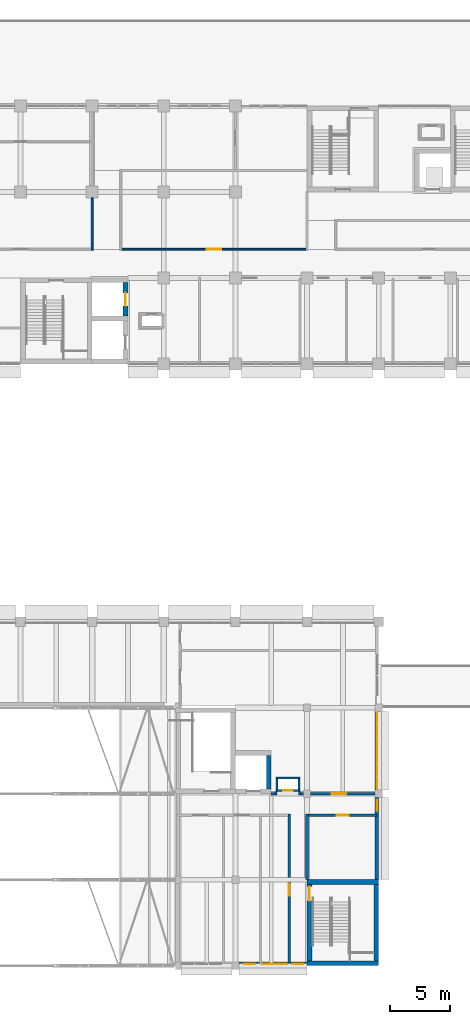
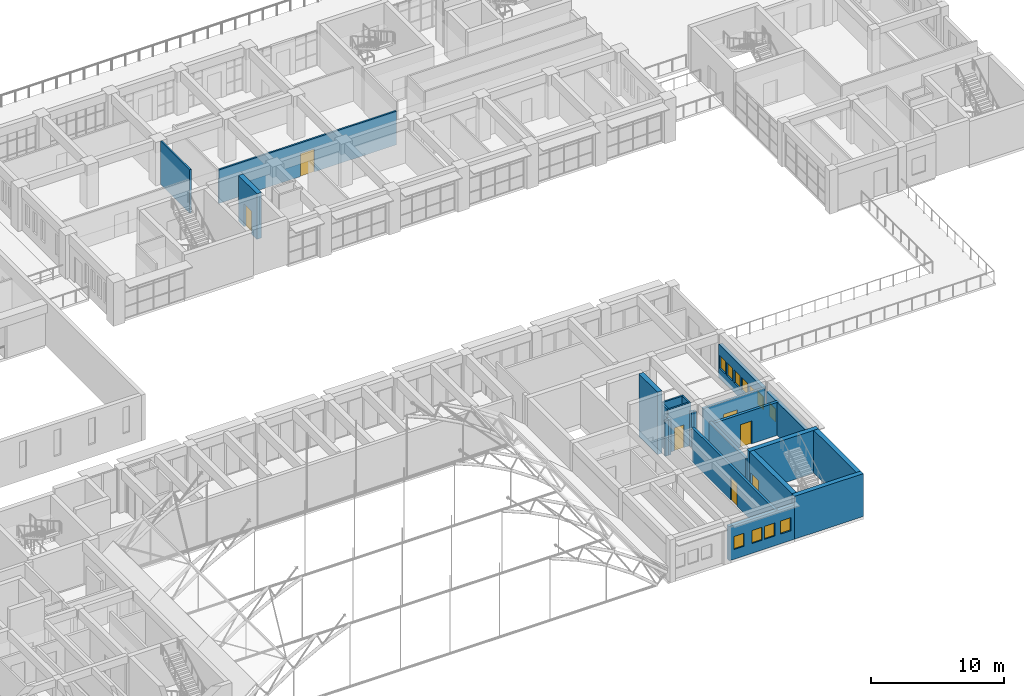
# One storey, part 74 of 101: 23 walls, 11 windows, 7 doors, 18 openings.
"""IFC4 building model written with IfcOpenShell, lengths in metres."""

from ifc_helpers import new_model, si_unit, direction, frame, frame_2d, origin, place, context, subcontext, project, spatial, rectangle, extrude, material, layer, layer_set, type_object, element, fill, save


model = new_model("IFC4")

# Units and contexts
model_context = context("Model", 3, precision=1e-05, world=origin(), true_north=direction((0.0, 1.0)))
body_context = subcontext(model_context, "Body", "Model", "MODEL_VIEW")
ifc_project = project(units=[si_unit("LENGTHUNIT", "METRE"), si_unit("AREAUNIT", "SQUARE_METRE"), si_unit("VOLUMEUNIT", "CUBIC_METRE"), si_unit("PLANEANGLEUNIT", "RADIAN"), si_unit("MASSUNIT", "GRAM", prefix="KILO")], contexts=[model_context])

# Site, building, storey
site_placement = place(None, origin())
site = spatial("IfcSite", under=ifc_project, at=site_placement, CompositionType="ELEMENT")
building_placement = place(site_placement, origin())
building = spatial("IfcBuilding", under=site, at=building_placement, Name="Laocheng Heights Fire and Rescue Headquarters", CompositionType="ELEMENT")
storey_placement = place(building_placement, frame((0.0, 0.0, 8.39990234375)))
storey = spatial("IfcBuildingStorey", under=building, at=storey_placement, Name="L02", CompositionType="ELEMENT", Elevation=8.39990234375)

# Wall
ifc_material_1 = material(Name="Gypsum plaster")
ifc_layer_1 = layer(ifc_material_1, 0.010009765625, Name="PLASTER", Category="plaster")
ifc_material_2 = material(Name="Concrete blockwork MU10", Category="masonry")
ifc_layer_2 = layer(ifc_material_2, 0.1298828125, Name="BLOCKWORK", Category="masonry")
ifc_layer_3 = layer(ifc_material_1, 0.010009765625, Name="PLASTER", Category="plaster")
ifc_layer_set_1 = layer_set([ifc_layer_1, ifc_layer_2, ifc_layer_3], Name="Concrete blockwork MU10")
wall_type_1 = type_object("IfcWallType", Name="BLOCKWORK CORRIDOR WALL 150 EI 60 HQ WING", PredefinedType="PARTITIONING", material=ifc_layer_set_1)
wall_1_placement = place(storey_placement, frame((48.0, 59.925048828125, 0.0), z_axis=(0.0, 0.0, 1.0), x_axis=(0.0, 1.0, 0.0)))
element("IfcWall", 1, at=wall_1_placement, inside=storey, type_object=wall_type_1, Name="Partition L02-002", PredefinedType="PARTITIONING", context=body_context, shape_type="SweptSolid", body=[
    extrude(rectangle(XDim=4.375, YDim=0.14990234375, at=frame_2d((2.1875, 0.0))), origin(), (0.0, 0.0, 1.0), 4.0),
])

# Wall, opening, door
wall_2_placement = place(storey_placement, frame((50.47509765625, 60.0, 0.0), z_axis=(0.0, 0.0, 1.0), x_axis=(1.0, 0.0, 0.0)))
wall_2 = element("IfcWall", 2, at=wall_2_placement, inside=storey, type_object=wall_type_1, Name="Partition L02-017", PredefinedType="PARTITIONING", context=body_context, shape_type="SweptSolid", body=[
    extrude(rectangle(XDim=15.449951171875, YDim=0.14990234375, at=frame_2d((7.72509765625, 0.0))), origin(), (0.0, 0.0, 1.0), 3.10009765625),
])
opening_1_placement = place(wall_2_placement, frame((7.125, 0.0, 0.0)))
opening_1 = element("IfcOpeningElement", 3, at=opening_1_placement, cuts=wall_2, Name="Opening L02-Y09", PredefinedType="OPENING", context=body_context, shape_type="SweptSolid", body=[
    extrude(rectangle(XDim=1.199951171875, YDim=2.10009765625, at=frame_2d((0.60009765625, 1.050048828125))), frame((0.0, 0.0849609375, 0.0), z_axis=(0.0, -1.0, 0.0), x_axis=(1.0, 0.0, 0.0)), (0.0, 0.0, 1.0), 0.169921875),
])
ifc_material_3 = material(Name="Timber door leaf, veneered", Category="wood")
door_type_1 = type_object("IfcDoorType", Name="TIMBER DOOR 1200x2100 EI 30 HQ WING", OperationType="SINGLE_SWING_LEFT", PredefinedType="DOOR", material=ifc_material_3)
door_1_placement = place(opening_1_placement, origin())
door_1 = element("IfcDoor", 4, at=door_1_placement, inside=storey, type_object=door_type_1, Name="Door L02-Y09", OperationType="SINGLE_SWING_LEFT", OverallHeight=2.10009765625, OverallWidth=1.199951171875, PredefinedType="DOOR", context=body_context, shape_type="SweptSolid", body=[
    extrude(rectangle(XDim=1.199951171875, YDim=2.10009765625, at=frame_2d((0.60009765625, 1.050048828125))), frame((0.0, 0.02490234375, 0.0), z_axis=(0.0, -1.0, 0.0), x_axis=(1.0, 0.0, 0.0)), (0.0, 0.0, 1.0), 0.050048828125),
])
fill(opening_1, door_1)

# Wall
ifc_material_4 = material(Name="Gypsum plaster")
ifc_layer_4 = layer(ifc_material_4, 0.010009765625, Name="PLASTER", Category="plaster")
ifc_material_5 = material(Name="Concrete blockwork MU10", Category="masonry")
ifc_layer_5 = layer(ifc_material_5, 0.179931640625, Name="BLOCKWORK", Category="masonry")
ifc_layer_6 = layer(ifc_material_4, 0.010009765625, Name="PLASTER", Category="plaster")
ifc_layer_set_2 = layer_set([ifc_layer_4, ifc_layer_5, ifc_layer_6], Name="Concrete blockwork MU10")
wall_type_2 = type_object("IfcWallType", Name="BLOCKWORK FIRE PARTITION 200 EI 60 BAY", PredefinedType="PARTITIONING", material=ifc_layer_set_2)
wall_3_placement = place(storey_placement, frame((63.39990234375, 14.300048828125, 0.0), z_axis=(0.0, 0.0, 1.0), x_axis=(0.0, 1.0, 0.0)))
element("IfcWall", 5, at=wall_3_placement, inside=storey, type_object=wall_type_2, Name="Partition L02-012", PredefinedType="PARTITIONING", context=body_context, shape_type="SweptSolid", body=[
    extrude(rectangle(XDim=0.300048828125, YDim=0.199951171875, at=frame_2d((0.14990234375, 0.0))), origin(), (0.0, 0.0, 1.0), 3.25),
])

# Wall, opening, door
wall_4_placement = place(storey_placement, frame((64.5, 0.14990234375, 0.0), z_axis=(0.0, 0.0, 1.0), x_axis=(0.0, 1.0, 0.0)))
wall_4 = element("IfcWall", 6, at=wall_4_placement, inside=storey, type_object=wall_type_2, Name="Partition L02-013", PredefinedType="PARTITIONING", context=body_context, shape_type="SweptSolid", body=[
    extrude(rectangle(XDim=12.550048828125, YDim=0.199951171875, at=frame_2d((6.27490234375, 0.0))), origin(), (0.0, 0.0, 1.0), 3.150146484375),
])
opening_2_placement = place(wall_4_placement, frame((5.72509765625, 0.0, 0.0)))
opening_2 = element("IfcOpeningElement", 7, at=opening_2_placement, cuts=wall_4, Name="Opening L02-I11", PredefinedType="OPENING", context=body_context, shape_type="SweptSolid", body=[
    extrude(rectangle(XDim=1.0, YDim=2.10009765625, at=frame_2d((0.5, 1.050048828125))), frame((0.0, 0.10986328125, 0.0), z_axis=(0.0, -1.0, 0.0), x_axis=(1.0, 0.0, 0.0)), (0.0, 0.0, 1.0), 0.219970703125),
])
ifc_material_6 = material(Name="Steel door leaf, painted", Category="steel")
door_type_2 = type_object("IfcDoorType", Name="STEEL FIRE DOOR 1000x2100 EI 60 BAY", OperationType="SINGLE_SWING_LEFT", PredefinedType="DOOR", material=ifc_material_6)
door_2_placement = place(opening_2_placement, origin())
door_2 = element("IfcDoor", 8, at=door_2_placement, inside=storey, type_object=door_type_2, Name="Door L02-I11", OperationType="SINGLE_SWING_LEFT", OverallHeight=2.10009765625, OverallWidth=1.0, PredefinedType="DOOR", context=body_context, shape_type="SweptSolid", body=[
    extrude(rectangle(XDim=1.0, YDim=2.10009765625, at=frame_2d((0.5, 1.050048828125))), frame((0.0, 0.02490234375, 0.0), z_axis=(0.0, -1.0, 0.0), x_axis=(1.0, 0.0, 0.0)), (0.0, 0.0, 1.0), 0.050048828125),
])
fill(opening_2, door_2)

# Walls
for number, where, z_axis, x_axis, name in (
    (9, (65.39990234375, 14.300048828125, 0.0), (0.0, 0.0, 1.0), (0.0, 1.0, 0.0), "Partition L02-014"),
    (10, (63.0, 14.39990234375, 0.0), (0.0, 0.0, 1.0), (1.0, 0.0, 0.0), "Partition L02-022"),
):
    element("IfcWall", number, at=place(storey_placement, frame(where, z_axis=z_axis, x_axis=x_axis)), inside=storey, type_object=wall_type_2, Name=name, PredefinedType="PARTITIONING", context=body_context, shape_type="SweptSolid", body=[
        extrude(rectangle(XDim=0.300048828125, YDim=0.199951171875, at=frame_2d((0.14990234375, 0.0))), origin(), (0.0, 0.0, 1.0), 3.25),
    ])
wall_5_placement = place(storey_placement, frame((65.5, 14.39990234375, 0.0), z_axis=(0.0, 0.0, 1.0), x_axis=(1.0, 0.0, 0.0)))
element("IfcWall", 11, at=wall_5_placement, inside=storey, type_object=wall_type_2, Name="Partition L02-023", PredefinedType="PARTITIONING", context=body_context, shape_type="SweptSolid", body=[
    extrude(rectangle(XDim=0.199951171875, YDim=0.199951171875, at=frame_2d((0.10009765625, 0.0))), origin(), (0.0, 0.0, 1.0), 3.25),
])

# Wall, opening, door
wall_6_placement = place(storey_placement, frame((66.300048828125, 14.39990234375, 0.0), z_axis=(0.0, 0.0, 1.0), x_axis=(1.0, 0.0, 0.0)))
wall_6 = element("IfcWall", 12, at=wall_6_placement, inside=storey, type_object=wall_type_2, Name="Partition L02-024", PredefinedType="PARTITIONING", context=body_context, shape_type="SweptSolid", body=[
    extrude(rectangle(XDim=5.39990234375, YDim=0.199951171875, at=frame_2d((2.699951171875, 0.0))), origin(), (0.0, 0.0, 1.0), 3.25),
])
opening_3_placement = place(wall_6_placement, frame((1.77490234375, 0.0, 0.0)))
opening_3 = element("IfcOpeningElement", 13, at=opening_3_placement, cuts=wall_6, Name="Opening L02-I13", PredefinedType="OPENING", context=body_context, shape_type="SweptSolid", body=[
    extrude(rectangle(XDim=1.199951171875, YDim=2.10009765625, at=frame_2d((0.60009765625, 1.050048828125))), frame((0.0, 0.10986328125, 0.0), z_axis=(0.0, -1.0, 0.0), x_axis=(1.0, 0.0, 0.0)), (0.0, 0.0, 1.0), 0.219970703125),
])
ifc_material_7 = material(Name="Steel door leaf, painted", Category="steel")
door_type_3 = type_object("IfcDoorType", Name="STEEL FIRE DOOR 1200x2100 EI 60 BAY", OperationType="SINGLE_SWING_LEFT", PredefinedType="DOOR", material=ifc_material_7)
door_3_placement = place(opening_3_placement, origin())
door_3 = element("IfcDoor", 14, at=door_3_placement, inside=storey, type_object=door_type_3, Name="Door L02-I13", OperationType="SINGLE_SWING_RIGHT", OverallHeight=2.10009765625, OverallWidth=1.199951171875, PredefinedType="DOOR", context=body_context, shape_type="SweptSolid", body=[
    extrude(rectangle(XDim=1.199951171875, YDim=2.10009765625, at=frame_2d((0.60009765625, 1.050048828125))), frame((0.0, 0.02490234375, 0.0), z_axis=(0.0, -1.0, 0.0), x_axis=(1.0, 0.0, 0.0)), (0.0, 0.0, 1.0), 0.050048828125),
])
fill(opening_3, door_3)

# Wall
ifc_material_8 = material(Name="Gypsum plaster")
ifc_layer_7 = layer(ifc_material_8, 0.010009765625, Name="PLASTER", Category="plaster")
ifc_material_9 = material(Name="Clay brick masonry MU10", Category="masonry")
ifc_layer_8 = layer(ifc_material_9, 0.219970703125, Name="BLOCKWORK", Category="masonry")
ifc_layer_9 = layer(ifc_material_8, 0.010009765625, Name="PLASTER", Category="plaster")
ifc_layer_set_3 = layer_set([ifc_layer_7, ifc_layer_8, ifc_layer_9], Name="Clay brick masonry MU10")
wall_type_3 = type_object("IfcWallType", Name="CLAY BRICK WALL 240 EI 120 BAY", PredefinedType="PARTITIONING", material=ifc_layer_set_3)
wall_7_placement = place(storey_placement, frame((66.0, 7.199951171875, 0.0), z_axis=(0.0, 0.0, 1.0), x_axis=(0.0, 1.0, 0.0)))
element("IfcWall", 15, at=wall_7_placement, inside=storey, type_object=wall_type_3, Name="Partition L02-015", PredefinedType="PARTITIONING", context=body_context, shape_type="SweptSolid", body=[
    extrude(rectangle(XDim=5.52001953125, YDim=0.239990234375, at=frame_2d((2.760009765625, 0.0))), origin(), (0.0, 0.0, 1.0), 3.150146484375),
])

# Wall, opening, door
wall_8_placement = place(storey_placement, frame((66.1201171875, 12.60009765625, 0.0), z_axis=(0.0, 0.0, 1.0), x_axis=(1.0, 0.0, 0.0)))
wall_8 = element("IfcWall", 16, at=wall_8_placement, inside=storey, type_object=wall_type_3, Name="Partition L02-020", PredefinedType="PARTITIONING", context=body_context, shape_type="SweptSolid", body=[
    extrude(rectangle(XDim=5.72998046875, YDim=0.239990234375, at=frame_2d((2.864990234375, 0.0))), origin(), (0.0, 0.0, 1.0), 3.050048828125),
])
opening_4_placement = place(wall_8_placement, frame((2.364990234375, 0.0, 0.0)))
opening_4 = element("IfcOpeningElement", 17, at=opening_4_placement, cuts=wall_8, Name="Opening L02-I12", PredefinedType="OPENING", context=body_context, shape_type="SweptSolid", body=[
    extrude(rectangle(XDim=1.0, YDim=2.10009765625, at=frame_2d((0.5, 1.050048828125))), frame((0.0, 0.1298828125, 0.0), z_axis=(0.0, -1.0, 0.0), x_axis=(1.0, 0.0, 0.0)), (0.0, 0.0, 1.0), 0.260009765625),
])
ifc_material_10 = material(Name="Steel door leaf, painted", Category="steel")
door_type_4 = type_object("IfcDoorType", Name="STEEL FIRE DOOR 1000x2100 EI 120 BAY", OperationType="SINGLE_SWING_LEFT", PredefinedType="DOOR", material=ifc_material_10)
door_4_placement = place(opening_4_placement, frame((1.0, 0.0, 0.0), z_axis=(0.0, 0.0, 1.0), x_axis=(-1.0, 0.0, 0.0)))
door_4 = element("IfcDoor", 18, at=door_4_placement, inside=storey, type_object=door_type_4, Name="Door L02-I12", OperationType="SINGLE_SWING_LEFT", OverallHeight=2.10009765625, OverallWidth=1.0, PredefinedType="DOOR", context=body_context, shape_type="SweptSolid", body=[
    extrude(rectangle(XDim=1.0, YDim=2.10009765625, at=frame_2d((0.5, 1.050048828125))), frame((0.0, 0.02490234375, 0.0), z_axis=(0.0, -1.0, 0.0), x_axis=(1.0, 0.0, 0.0)), (0.0, 0.0, 1.0), 0.050048828125),
])
fill(opening_4, door_4)

# Wall, openings, windows
ifc_material_11 = material(Name="Precast concrete C40/50", Category="concrete")
ifc_layer_10 = layer(ifc_material_11, 0.300048828125)
ifc_layer_set_4 = layer_set([ifc_layer_10], Name="Precast concrete C40/50")
wall_type_4 = type_object("IfcWallType", Name="PRECAST PANEL WALL 300 EAST FLANK", PredefinedType="SOLIDWALL", material=ifc_layer_set_4)
wall_9_placement = place(storey_placement, frame((60.300048828125, 0.14990234375, 0.0), z_axis=(0.0, 0.0, 1.0), x_axis=(1.0, 0.0, 0.0)))
wall_9 = element("IfcWall", 19, at=wall_9_placement, inside=storey, type_object=wall_type_4, Name="Flank E wall L02", PredefinedType="SOLIDWALL", context=body_context, shape_type="SweptSolid", body=[
    extrude(rectangle(XDim=5.699951171875, YDim=0.300048828125, at=frame_2d((2.85009765625, 0.0))), origin(), (0.0, 0.0, 1.0), 3.150146484375),
])
opening_5_placement = place(wall_9_placement, frame((0.41259765625, 0.0, 0.89990234375)))
opening_5 = element("IfcOpeningElement", 20, at=opening_5_placement, cuts=wall_9, Name="Opening N2-E", PredefinedType="OPENING", context=body_context, shape_type="SweptSolid", body=[
    extrude(rectangle(XDim=0.89990234375, YDim=1.199951171875, at=frame_2d((0.449951171875, 0.60009765625))), frame((0.0, 0.159912109375, 0.0), z_axis=(0.0, -1.0, 0.0), x_axis=(1.0, 0.0, 0.0)), (0.0, 0.0, 1.0), 0.320068359375),
])
opening_6_placement = place(wall_9_placement, frame((1.981201171875, 0.0, 0.89990234375)))
opening_6 = element("IfcOpeningElement", 21, at=opening_6_placement, cuts=wall_9, Name="Opening N2-E", PredefinedType="OPENING", context=body_context, shape_type="SweptSolid", body=[
    extrude(rectangle(XDim=0.89990234375, YDim=1.199951171875, at=frame_2d((0.449951171875, 0.60009765625))), frame((0.0, 0.159912109375, 0.0), z_axis=(0.0, -1.0, 0.0), x_axis=(1.0, 0.0, 0.0)), (0.0, 0.0, 1.0), 0.320068359375),
])
opening_7_placement = place(wall_9_placement, frame((3.09375, 0.0, 0.89990234375)))
opening_7 = element("IfcOpeningElement", 22, at=opening_7_placement, cuts=wall_9, Name="Opening N2-E", PredefinedType="OPENING", context=body_context, shape_type="SweptSolid", body=[
    extrude(rectangle(XDim=0.89990234375, YDim=1.199951171875, at=frame_2d((0.449951171875, 0.60009765625))), frame((0.0, 0.159912109375, 0.0), z_axis=(0.0, -1.0, 0.0), x_axis=(1.0, 0.0, 0.0)), (0.0, 0.0, 1.0), 0.320068359375),
])
opening_8_placement = place(wall_9_placement, frame((4.489990234375, 0.0, 0.89990234375)))
opening_8 = element("IfcOpeningElement", 23, at=opening_8_placement, cuts=wall_9, Name="Opening N2-E", PredefinedType="OPENING", context=body_context, shape_type="SweptSolid", body=[
    extrude(rectangle(XDim=0.89990234375, YDim=1.199951171875, at=frame_2d((0.449951171875, 0.60009765625))), frame((0.0, 0.159912109375, 0.0), z_axis=(0.0, -1.0, 0.0), x_axis=(1.0, 0.0, 0.0)), (0.0, 0.0, 1.0), 0.320068359375),
])
ifc_material_12 = material(Name="Low-e double glazing in thermally broken aluminium frame", Category="aluminium")
window_type = type_object("IfcWindowType", Name="PUNCHED WINDOW STEEL FRAME 900 x 1200 SILL 900", PartitioningType="SINGLE_PANEL", PredefinedType="WINDOW", material=ifc_material_12)
window_1_placement = place(opening_5_placement, origin())
window_1 = element("IfcWindow", 24, at=window_1_placement, inside=storey, type_object=window_type, Name="Flank_E window L02", OverallHeight=1.199951171875, OverallWidth=0.89990234375, PartitioningType="SINGLE_PANEL", PredefinedType="WINDOW", context=body_context, shape_type="SweptSolid", body=[
    extrude(rectangle(XDim=0.89990234375, YDim=1.199951171875, at=frame_2d((0.449951171875, 0.60009765625))), frame((0.0, 0.030029296875, 0.0), z_axis=(0.0, -1.0, 0.0), x_axis=(1.0, 0.0, 0.0)), (0.0, 0.0, 1.0), 0.06005859375),
])
fill(opening_5, window_1)
window_2_placement = place(opening_6_placement, origin())
window_2 = element("IfcWindow", 25, at=window_2_placement, inside=storey, type_object=window_type, Name="Flank_E window L02", OverallHeight=1.199951171875, OverallWidth=0.89990234375, PartitioningType="SINGLE_PANEL", PredefinedType="WINDOW", context=body_context, shape_type="SweptSolid", body=[
    extrude(rectangle(XDim=0.89990234375, YDim=1.199951171875, at=frame_2d((0.449951171875, 0.60009765625))), frame((0.0, 0.030029296875, 0.0), z_axis=(0.0, -1.0, 0.0), x_axis=(1.0, 0.0, 0.0)), (0.0, 0.0, 1.0), 0.06005859375),
])
fill(opening_6, window_2)
window_3_placement = place(opening_7_placement, origin())
window_3 = element("IfcWindow", 26, at=window_3_placement, inside=storey, type_object=window_type, Name="Flank_E window L02", OverallHeight=1.199951171875, OverallWidth=0.89990234375, PartitioningType="SINGLE_PANEL", PredefinedType="WINDOW", context=body_context, shape_type="SweptSolid", body=[
    extrude(rectangle(XDim=0.89990234375, YDim=1.199951171875, at=frame_2d((0.449951171875, 0.60009765625))), frame((0.0, 0.030029296875, 0.0), z_axis=(0.0, -1.0, 0.0), x_axis=(1.0, 0.0, 0.0)), (0.0, 0.0, 1.0), 0.06005859375),
])
fill(opening_7, window_3)
window_4_placement = place(opening_8_placement, origin())
window_4 = element("IfcWindow", 27, at=window_4_placement, inside=storey, type_object=window_type, Name="Flank_E window L02", OverallHeight=1.199951171875, OverallWidth=0.89990234375, PartitioningType="SINGLE_PANEL", PredefinedType="WINDOW", context=body_context, shape_type="SweptSolid", body=[
    extrude(rectangle(XDim=0.89990234375, YDim=1.199951171875, at=frame_2d((0.449951171875, 0.60009765625))), frame((0.0, 0.030029296875, 0.0), z_axis=(0.0, -1.0, 0.0), x_axis=(1.0, 0.0, 0.0)), (0.0, 0.0, 1.0), 0.06005859375),
])
fill(opening_8, window_4)

# Wall, opening, window
wall_10_placement = place(storey_placement, frame((71.85009765625, 7.199951171875, 0.0), z_axis=(0.0, 0.0, 1.0), x_axis=(0.0, 1.0, 0.0)))
wall_10 = element("IfcWall", 28, at=wall_10_placement, inside=storey, type_object=wall_type_4, Name="Flank E wall L02", PredefinedType="SOLIDWALL", context=body_context, shape_type="SweptSolid", body=[
    extrude(rectangle(XDim=6.900146484375, YDim=0.300048828125, at=frame_2d((3.4501953125, 0.0))), origin(), (0.0, 0.0, 1.0), 3.050048828125),
])
opening_9_placement = place(wall_10_placement, frame((5.760009765625, 0.0, 0.89990234375)))
opening_9 = element("IfcOpeningElement", 29, at=opening_9_placement, cuts=wall_10, Name="Opening N2-E", PredefinedType="OPENING", context=body_context, shape_type="SweptSolid", body=[
    extrude(rectangle(XDim=0.89990234375, YDim=1.199951171875, at=frame_2d((0.449951171875, 0.60009765625))), frame((0.0, 0.159912109375, 0.0), z_axis=(0.0, -1.0, 0.0), x_axis=(1.0, 0.0, 0.0)), (0.0, 0.0, 1.0), 0.320068359375),
])
window_5_placement = place(opening_9_placement, origin())
window_5 = element("IfcWindow", 30, at=window_5_placement, inside=storey, type_object=window_type, Name="Flank_E window L02", OverallHeight=1.199951171875, OverallWidth=0.89990234375, PartitioningType="SINGLE_PANEL", PredefinedType="WINDOW", context=body_context, shape_type="SweptSolid", body=[
    extrude(rectangle(XDim=0.89990234375, YDim=1.199951171875, at=frame_2d((0.449951171875, 0.60009765625))), frame((0.0, 0.030029296875, 0.0), z_axis=(0.0, -1.0, 0.0), x_axis=(1.0, 0.0, 0.0)), (0.0, 0.0, 1.0), 0.06005859375),
])
fill(opening_9, window_5)

# Wall, openings, windows
wall_11_placement = place(storey_placement, frame((71.85009765625, 14.699951171875, 0.0), z_axis=(0.0, 0.0, 1.0), x_axis=(0.0, 1.0, 0.0)))
wall_11 = element("IfcWall", 31, at=wall_11_placement, inside=storey, type_object=wall_type_4, Name="Flank E wall L02", PredefinedType="SOLIDWALL", context=body_context, shape_type="SweptSolid", body=[
    extrude(rectangle(XDim=6.60009765625, YDim=0.300048828125, at=frame_2d((3.300048828125, 0.0))), origin(), (0.0, 0.0, 1.0), 3.050048828125),
])
opening_10_placement = place(wall_11_placement, frame((0.10009765625, 0.0, 0.89990234375)))
opening_10 = element("IfcOpeningElement", 32, at=opening_10_placement, cuts=wall_11, Name="Opening N2-E", PredefinedType="OPENING", context=body_context, shape_type="SweptSolid", body=[
    extrude(rectangle(XDim=0.89990234375, YDim=1.199951171875, at=frame_2d((0.449951171875, 0.60009765625))), frame((0.0, 0.159912109375, 0.0), z_axis=(0.0, -1.0, 0.0), x_axis=(1.0, 0.0, 0.0)), (0.0, 0.0, 1.0), 0.320068359375),
])
opening_11_placement = place(wall_11_placement, frame((1.199951171875, 0.0, 0.89990234375)))
opening_11 = element("IfcOpeningElement", 33, at=opening_11_placement, cuts=wall_11, Name="Opening N2-E", PredefinedType="OPENING", context=body_context, shape_type="SweptSolid", body=[
    extrude(rectangle(XDim=0.89990234375, YDim=1.199951171875, at=frame_2d((0.449951171875, 0.60009765625))), frame((0.0, 0.159912109375, 0.0), z_axis=(0.0, -1.0, 0.0), x_axis=(1.0, 0.0, 0.0)), (0.0, 0.0, 1.0), 0.320068359375),
])
opening_12_placement = place(wall_11_placement, frame((2.300048828125, 0.0, 0.89990234375)))
opening_12 = element("IfcOpeningElement", 34, at=opening_12_placement, cuts=wall_11, Name="Opening N2-E", PredefinedType="OPENING", context=body_context, shape_type="SweptSolid", body=[
    extrude(rectangle(XDim=0.89990234375, YDim=1.199951171875, at=frame_2d((0.449951171875, 0.60009765625))), frame((0.0, 0.159912109375, 0.0), z_axis=(0.0, -1.0, 0.0), x_axis=(1.0, 0.0, 0.0)), (0.0, 0.0, 1.0), 0.320068359375),
])
opening_13_placement = place(wall_11_placement, frame((3.39990234375, 0.0, 0.89990234375)))
opening_13 = element("IfcOpeningElement", 35, at=opening_13_placement, cuts=wall_11, Name="Opening N2-E", PredefinedType="OPENING", context=body_context, shape_type="SweptSolid", body=[
    extrude(rectangle(XDim=0.89990234375, YDim=1.199951171875, at=frame_2d((0.449951171875, 0.60009765625))), frame((0.0, 0.159912109375, 0.0), z_axis=(0.0, -1.0, 0.0), x_axis=(1.0, 0.0, 0.0)), (0.0, 0.0, 1.0), 0.320068359375),
])
opening_14_placement = place(wall_11_placement, frame((4.5, 0.0, 0.89990234375)))
opening_14 = element("IfcOpeningElement", 36, at=opening_14_placement, cuts=wall_11, Name="Opening N2-E", PredefinedType="OPENING", context=body_context, shape_type="SweptSolid", body=[
    extrude(rectangle(XDim=0.89990234375, YDim=1.199951171875, at=frame_2d((0.449951171875, 0.60009765625))), frame((0.0, 0.159912109375, 0.0), z_axis=(0.0, -1.0, 0.0), x_axis=(1.0, 0.0, 0.0)), (0.0, 0.0, 1.0), 0.320068359375),
])
opening_15_placement = place(wall_11_placement, frame((5.60009765625, 0.0, 0.89990234375)))
opening_15 = element("IfcOpeningElement", 37, at=opening_15_placement, cuts=wall_11, Name="Opening N2-E", PredefinedType="OPENING", context=body_context, shape_type="SweptSolid", body=[
    extrude(rectangle(XDim=0.89990234375, YDim=1.199951171875, at=frame_2d((0.449951171875, 0.60009765625))), frame((0.0, 0.159912109375, 0.0), z_axis=(0.0, -1.0, 0.0), x_axis=(1.0, 0.0, 0.0)), (0.0, 0.0, 1.0), 0.320068359375),
])
window_6_placement = place(opening_10_placement, origin())
window_6 = element("IfcWindow", 38, at=window_6_placement, inside=storey, type_object=window_type, Name="Flank_E window L02", OverallHeight=1.199951171875, OverallWidth=0.89990234375, PartitioningType="SINGLE_PANEL", PredefinedType="WINDOW", context=body_context, shape_type="SweptSolid", body=[
    extrude(rectangle(XDim=0.89990234375, YDim=1.199951171875, at=frame_2d((0.449951171875, 0.60009765625))), frame((0.0, 0.030029296875, 0.0), z_axis=(0.0, -1.0, 0.0), x_axis=(1.0, 0.0, 0.0)), (0.0, 0.0, 1.0), 0.06005859375),
])
fill(opening_10, window_6)
window_7_placement = place(opening_11_placement, origin())
window_7 = element("IfcWindow", 39, at=window_7_placement, inside=storey, type_object=window_type, Name="Flank_E window L02", OverallHeight=1.199951171875, OverallWidth=0.89990234375, PartitioningType="SINGLE_PANEL", PredefinedType="WINDOW", context=body_context, shape_type="SweptSolid", body=[
    extrude(rectangle(XDim=0.89990234375, YDim=1.199951171875, at=frame_2d((0.449951171875, 0.60009765625))), frame((0.0, 0.030029296875, 0.0), z_axis=(0.0, -1.0, 0.0), x_axis=(1.0, 0.0, 0.0)), (0.0, 0.0, 1.0), 0.06005859375),
])
fill(opening_11, window_7)
window_8_placement = place(opening_12_placement, origin())
window_8 = element("IfcWindow", 40, at=window_8_placement, inside=storey, type_object=window_type, Name="Flank_E window L02", OverallHeight=1.199951171875, OverallWidth=0.89990234375, PartitioningType="SINGLE_PANEL", PredefinedType="WINDOW", context=body_context, shape_type="SweptSolid", body=[
    extrude(rectangle(XDim=0.89990234375, YDim=1.199951171875, at=frame_2d((0.449951171875, 0.60009765625))), frame((0.0, 0.030029296875, 0.0), z_axis=(0.0, -1.0, 0.0), x_axis=(1.0, 0.0, 0.0)), (0.0, 0.0, 1.0), 0.06005859375),
])
fill(opening_12, window_8)
window_9_placement = place(opening_13_placement, origin())
window_9 = element("IfcWindow", 41, at=window_9_placement, inside=storey, type_object=window_type, Name="Flank_E window L02", OverallHeight=1.199951171875, OverallWidth=0.89990234375, PartitioningType="SINGLE_PANEL", PredefinedType="WINDOW", context=body_context, shape_type="SweptSolid", body=[
    extrude(rectangle(XDim=0.89990234375, YDim=1.199951171875, at=frame_2d((0.449951171875, 0.60009765625))), frame((0.0, 0.030029296875, 0.0), z_axis=(0.0, -1.0, 0.0), x_axis=(1.0, 0.0, 0.0)), (0.0, 0.0, 1.0), 0.06005859375),
])
fill(opening_13, window_9)
window_10_placement = place(opening_14_placement, origin())
window_10 = element("IfcWindow", 42, at=window_10_placement, inside=storey, type_object=window_type, Name="Flank_E window L02", OverallHeight=1.199951171875, OverallWidth=0.89990234375, PartitioningType="SINGLE_PANEL", PredefinedType="WINDOW", context=body_context, shape_type="SweptSolid", body=[
    extrude(rectangle(XDim=0.89990234375, YDim=1.199951171875, at=frame_2d((0.449951171875, 0.60009765625))), frame((0.0, 0.030029296875, 0.0), z_axis=(0.0, -1.0, 0.0), x_axis=(1.0, 0.0, 0.0)), (0.0, 0.0, 1.0), 0.06005859375),
])
fill(opening_14, window_10)
window_11_placement = place(opening_15_placement, origin())
window_11 = element("IfcWindow", 43, at=window_11_placement, inside=storey, type_object=window_type, Name="Flank_E window L02", OverallHeight=1.199951171875, OverallWidth=0.89990234375, PartitioningType="SINGLE_PANEL", PredefinedType="WINDOW", context=body_context, shape_type="SweptSolid", body=[
    extrude(rectangle(XDim=0.89990234375, YDim=1.199951171875, at=frame_2d((0.449951171875, 0.60009765625))), frame((0.0, 0.030029296875, 0.0), z_axis=(0.0, -1.0, 0.0), x_axis=(1.0, 0.0, 0.0)), (0.0, 0.0, 1.0), 0.06005859375),
])
fill(opening_15, window_11)

# Wall
ifc_material_13 = material(Name="Concrete C50", Category="concrete")
ifc_layer_11 = layer(ifc_material_13, 0.39990234375)
ifc_layer_set_5 = layer_set([ifc_layer_11], Name="Concrete C50")
wall_type_5 = type_object("IfcWallType", Name="RC LIFT SHAFT WALL 400", PredefinedType="SHEAR", material=ifc_layer_set_5)
wall_12_placement = place(storey_placement, frame((62.800048828125, 14.800048828125, 0.0), z_axis=(0.0, 0.0, 1.0), x_axis=(0.0, 1.0, 0.0)))
element("IfcWall", 44, at=wall_12_placement, inside=storey, type_object=wall_type_5, Name="Lift shaft wall", PredefinedType="SHEAR", context=body_context, shape_type="SweptSolid", body=[
    extrude(rectangle(XDim=2.800048828125, YDim=0.39990234375, at=frame_2d((1.39990234375, 0.0))), origin(), (0.0, 0.0, 1.0), 5.75),
])

# Wall, opening, door
wall_13_placement = place(storey_placement, frame((50.800048828125, 54.39990234375, 0.0), z_axis=(0.0, 0.0, 1.0), x_axis=(0.0, 1.0, 0.0)))
wall_13 = element("IfcWall", 45, at=wall_13_placement, inside=storey, type_object=wall_type_5, Name="Lift shaft wall", PredefinedType="SHEAR", context=body_context, shape_type="SweptSolid", body=[
    extrude(rectangle(XDim=2.800048828125, YDim=0.39990234375, at=frame_2d((1.39990234375, 0.0))), origin(), (0.0, 0.0, 1.0), 4.2001953125),
])
opening_16_placement = place(wall_13_placement, frame((0.85009765625, 0.0, 0.0)))
opening_16 = element("IfcOpeningElement", 46, at=opening_16_placement, cuts=wall_13, Name="Opening L02-K22", PredefinedType="OPENING", context=body_context, shape_type="SweptSolid", body=[
    extrude(rectangle(XDim=1.10009765625, YDim=2.10009765625, at=frame_2d((0.550048828125, 1.050048828125))), frame((0.0, 0.2099609375, 0.0), z_axis=(0.0, -1.0, 0.0), x_axis=(1.0, 0.0, 0.0)), (0.0, 0.0, 1.0), 0.419921875),
])
ifc_material_14 = material(Name="Stainless steel", Category="steel")
door_type_5 = type_object("IfcDoorType", Name="LANDING DOOR H-L1 SLIDING 1100x2100 E 120", OperationType="DOUBLE_DOOR_SLIDING", PredefinedType="DOOR", material=ifc_material_14)
door_5_placement = place(opening_16_placement, origin())
door_5 = element("IfcDoor", 47, at=door_5_placement, inside=storey, type_object=door_type_5, Name="Landing door H-L1", OperationType="DOUBLE_DOOR_SLIDING", OverallHeight=2.10009765625, OverallWidth=1.10009765625, PredefinedType="DOOR", context=body_context, shape_type="SweptSolid", body=[
    extrude(rectangle(XDim=1.10009765625, YDim=2.10009765625, at=frame_2d((0.550048828125, 1.050048828125))), frame((0.0, 0.02490234375, 0.0), z_axis=(0.0, -1.0, 0.0), x_axis=(1.0, 0.0, 0.0)), (0.0, 0.0, 1.0), 0.050048828125),
])
fill(opening_16, door_5)

# Walls
ifc_material_15 = material(Name="Concrete C50", Category="concrete")
ifc_layer_12 = layer(ifc_material_15, 0.39990234375)
ifc_layer_set_6 = layer_set([ifc_layer_12], Name="Concrete C50")
wall_type_6 = type_object("IfcWallType", Name="RC STAIR ENCLOSURE WALL 400", PredefinedType="SHEAR", material=ifc_layer_set_6)
for number, where, z_axis, x_axis, name in (
    (48, (66.0, 0.199951171875, 0.0), (0.0, 0.0, 1.0), (1.0, 0.0, 0.0), "Stair enclosure wall"),
    (49, (66.0, 7.0, 0.0), (0.0, 0.0, 1.0), (1.0, 0.0, 0.0), "Stair enclosure wall"),
):
    element("IfcWall", number, at=place(storey_placement, frame(where, z_axis=z_axis, x_axis=x_axis)), inside=storey, type_object=wall_type_6, Name=name, PredefinedType="SHEAR", context=body_context, shape_type="SweptSolid", body=[
        extrude(rectangle(XDim=6.0, YDim=0.39990234375, at=frame_2d((3.0, 0.0))), origin(), (0.0, 0.0, 1.0), 3.9501953125),
    ])

# Wall, opening, door
wall_14_placement = place(storey_placement, frame((66.199951171875, 0.39990234375, 0.0), z_axis=(0.0, 0.0, 1.0), x_axis=(0.0, 1.0, 0.0)))
wall_14 = element("IfcWall", 50, at=wall_14_placement, inside=storey, type_object=wall_type_6, Name="Stair enclosure wall", PredefinedType="SHEAR", context=body_context, shape_type="SweptSolid", body=[
    extrude(rectangle(XDim=6.400146484375, YDim=0.39990234375, at=frame_2d((3.2001953125, 0.0))), origin(), (0.0, 0.0, 1.0), 3.9501953125),
])
opening_17_placement = place(wall_14_placement, frame((5.02490234375, 0.0, 0.0)))
opening_17 = element("IfcOpeningElement", 51, at=opening_17_placement, cuts=wall_14, Name="Opening L02-K08", PredefinedType="OPENING", context=body_context, shape_type="SweptSolid", body=[
    extrude(rectangle(XDim=1.199951171875, YDim=2.10009765625, at=frame_2d((0.60009765625, 1.050048828125))), frame((0.0, 0.2099609375, 0.0), z_axis=(0.0, -1.0, 0.0), x_axis=(1.0, 0.0, 0.0)), (0.0, 0.0, 1.0), 0.419921875),
])
ifc_material_16 = material(Name="Painted steel", Category="steel")
door_type_6 = type_object("IfcDoorType", Name="FIRE DOOR 1200x2100 EI 60", OperationType="SINGLE_SWING_LEFT", PredefinedType="DOOR", material=ifc_material_16)
door_6_placement = place(opening_17_placement, frame((1.199951171875, 0.0, 0.0), z_axis=(0.0, 0.0, 1.0), x_axis=(-1.0, 0.0, 0.0)))
door_6 = element("IfcDoor", 52, at=door_6_placement, inside=storey, type_object=door_type_6, Name="Stair E2 door", OperationType="SINGLE_SWING_LEFT", OverallHeight=2.10009765625, OverallWidth=1.199951171875, PredefinedType="DOOR", context=body_context, shape_type="SweptSolid", body=[
    extrude(rectangle(XDim=1.199951171875, YDim=2.10009765625, at=frame_2d((0.60009765625, 1.050048828125))), frame((0.0, 0.02490234375, 0.0), z_axis=(0.0, -1.0, 0.0), x_axis=(1.0, 0.0, 0.0)), (0.0, 0.0, 1.0), 0.050048828125),
])
fill(opening_17, door_6)

# Wall
wall_15_placement = place(storey_placement, frame((71.800048828125, 0.39990234375, 0.0), z_axis=(0.0, 0.0, 1.0), x_axis=(0.0, 1.0, 0.0)))
element("IfcWall", 53, at=wall_15_placement, inside=storey, type_object=wall_type_6, Name="Stair enclosure wall", PredefinedType="SHEAR", context=body_context, shape_type="SweptSolid", body=[
    extrude(rectangle(XDim=6.400146484375, YDim=0.39990234375, at=frame_2d((3.2001953125, 0.0))), origin(), (0.0, 0.0, 1.0), 3.9501953125),
])

# Wall, opening, door
ifc_material_17 = material(Name="Concrete C30", Category="concrete")
ifc_layer_13 = layer(ifc_material_17, 0.14990234375)
ifc_layer_set_7 = layer_set([ifc_layer_13], Name="Concrete C30")
wall_type_7 = type_object("IfcWallType", Name="RISER SHAFT WALL 150", PredefinedType="SOLIDWALL", material=ifc_layer_set_7)
wall_16_placement = place(storey_placement, frame((63.39990234375, 14.675048828125, 0.0), z_axis=(0.0, 0.0, 1.0), x_axis=(1.0, 0.0, 0.0)))
wall_16 = element("IfcWall", 54, at=wall_16_placement, inside=storey, type_object=wall_type_7, Name="Riser shaft wall", PredefinedType="SOLIDWALL", context=body_context, shape_type="SweptSolid", body=[
    extrude(rectangle(XDim=2.0, YDim=0.14990234375, at=frame_2d((1.0, 0.0))), origin(), (0.0, 0.0, 1.0), 3.9501953125),
])
opening_18_placement = place(wall_16_placement, frame((0.60009765625, 0.0, 0.0)))
opening_18 = element("IfcOpeningElement", 55, at=opening_18_placement, cuts=wall_16, Name="Opening L02-K07", PredefinedType="OPENING", context=body_context, shape_type="SweptSolid", body=[
    extrude(rectangle(XDim=0.800048828125, YDim=2.10009765625, at=frame_2d((0.39990234375, 1.050048828125))), frame((0.0, 0.0849609375, 0.0), z_axis=(0.0, -1.0, 0.0), x_axis=(1.0, 0.0, 0.0)), (0.0, 0.0, 1.0), 0.169921875),
])
ifc_material_18 = material(Name="Painted steel", Category="steel")
door_type_7 = type_object("IfcDoorType", Name="RISER ACCESS DOOR 800x2100 EI 30", OperationType="SINGLE_SWING_LEFT", PredefinedType="DOOR", material=ifc_material_18)
door_7_placement = place(opening_18_placement, frame((0.800048828125, 0.0, 0.0), z_axis=(0.0, 0.0, 1.0), x_axis=(-1.0, 0.0, 0.0)))
door_7 = element("IfcDoor", 56, at=door_7_placement, inside=storey, type_object=door_type_7, Name="Riser RE1 access door", OperationType="SINGLE_SWING_RIGHT", OverallHeight=2.10009765625, OverallWidth=0.800048828125, PredefinedType="DOOR", context=body_context, shape_type="SweptSolid", body=[
    extrude(rectangle(XDim=0.800048828125, YDim=2.10009765625, at=frame_2d((0.39990234375, 1.050048828125))), frame((0.0, 0.02490234375, 0.0), z_axis=(0.0, -1.0, 0.0), x_axis=(1.0, 0.0, 0.0)), (0.0, 0.0, 1.0), 0.050048828125),
])
fill(opening_18, door_7)

# Walls
wall_17_placement = place(storey_placement, frame((63.39990234375, 15.72509765625, 0.0), z_axis=(0.0, 0.0, 1.0), x_axis=(1.0, 0.0, 0.0)))
element("IfcWall", 57, at=wall_17_placement, inside=storey, type_object=wall_type_7, Name="Riser shaft wall", PredefinedType="SOLIDWALL", context=body_context, shape_type="SweptSolid", body=[
    extrude(rectangle(XDim=2.0, YDim=0.14990234375, at=frame_2d((1.0, 0.0))), origin(), (0.0, 0.0, 1.0), 3.9501953125),
])
for number, where, z_axis, x_axis, name in (
    (58, (63.47509765625, 14.75, 0.0), (0.0, 0.0, 1.0), (0.0, 1.0, 0.0), "Riser shaft wall"),
    (59, (65.324951171875, 14.75, 0.0), (0.0, 0.0, 1.0), (0.0, 1.0, 0.0), "Riser shaft wall"),
):
    element("IfcWall", number, at=place(storey_placement, frame(where, z_axis=z_axis, x_axis=x_axis)), inside=storey, type_object=wall_type_7, Name=name, PredefinedType="SOLIDWALL", context=body_context, shape_type="SweptSolid", body=[
        extrude(rectangle(XDim=0.89990234375, YDim=0.14990234375, at=frame_2d((0.449951171875, 0.0))), origin(), (0.0, 0.0, 1.0), 3.9501953125),
    ])

save(model, "model.ifc")
